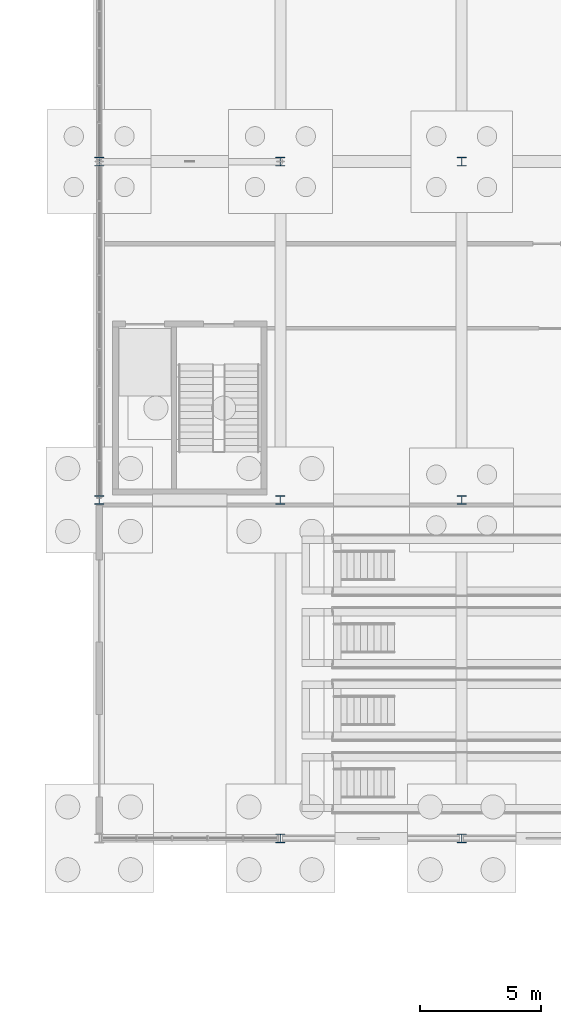
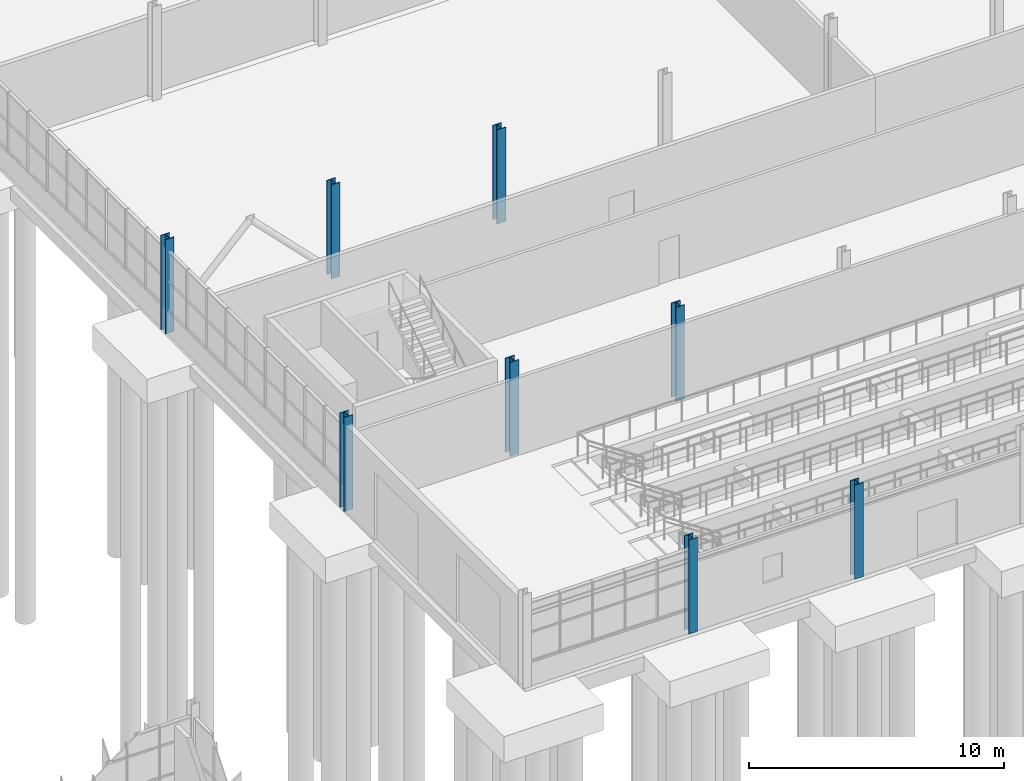
# One storey, part 14 of 136: 8 columns.
"""IFC4 building model written with IfcOpenShell, lengths in metres."""

from ifc_helpers import new_model, si_unit, direction, frame, origin, origin_2d, place, context, subcontext, project, spatial, i_section, extrude, material, material_profile, profile_set, type_object, element, save


model = new_model("IFC4")

# Units and contexts
model_context = context("Model", 3, precision=1e-05, world=origin(), true_north=direction((0.0, 1.0)))
body_context = subcontext(model_context, "Body", "Model", "MODEL_VIEW")
ifc_project = project(units=[si_unit("LENGTHUNIT", "METRE"), si_unit("AREAUNIT", "SQUARE_METRE"), si_unit("VOLUMEUNIT", "CUBIC_METRE"), si_unit("PLANEANGLEUNIT", "RADIAN"), si_unit("MASSUNIT", "GRAM", prefix="KILO")], contexts=[model_context])

# Site, building, storey
site_placement = place(None, origin())
site = spatial("IfcSite", under=ifc_project, at=site_placement, CompositionType="ELEMENT")
building_placement = place(site_placement, origin())
building = spatial("IfcBuilding", under=site, at=building_placement, Name="Solvenia Promenade Tram Depot", CompositionType="ELEMENT")
storey_placement = place(building_placement, origin())
storey = spatial("IfcBuildingStorey", under=building, at=storey_placement, Name="L00", CompositionType="ELEMENT", Elevation=0.0)

# Columns
ifc_material = material(Name="Structural steel ASTM A992 Gr. 50", Category="steel")
ifc_material_profile = material_profile(ifc_material, i_section(OverallWidth=0.39404296875, OverallDepth=0.375, WebThickness=0.0205078125, FlangeThickness=0.033203125, FilletRadius=0.01806640625, at=origin_2d()), Name="W360x216", Category="steel")
ifc_profile_set = profile_set([ifc_material_profile], Name="Structural steel ASTM A992 Gr. 50")
column_type = type_object("IfcColumnType", Name="Col-W360x216", PredefinedType="COLUMN", material=ifc_profile_set)
for number, where, z_axis, x_axis, name in (
    (1, (105.0, 38.0, 0.0), (0.0, 0.0, 1.0), (1.0, 0.0, 0.0), "Steel Column COL-L00-199"),
    (2, (105.0, 52.0, 0.0), (0.0, 0.0, 1.0), (1.0, 0.0, 0.0), "Steel Column COL-L00-202"),
    (3, (112.5, 24.0, 0.0), (0.0, 0.0, 1.0), (1.0, 0.0, 0.0), "Steel Column COL-L00-211"),
    (4, (112.5, 38.0, 0.0), (0.0, 0.0, 1.0), (1.0, 0.0, 0.0), "Steel Column COL-L00-214"),
    (5, (112.5, 52.0, 0.0), (0.0, 0.0, 1.0), (1.0, 0.0, 0.0), "Steel Column COL-L00-217"),
    (6, (120.0, 24.0, 0.0), (0.0, 0.0, 1.0), (1.0, 0.0, 0.0), "Steel Column COL-L00-226"),
    (7, (120.0, 38.0, 0.0), (0.0, 0.0, 1.0), (1.0, 0.0, 0.0), "Steel Column COL-L00-229"),
    (8, (120.0, 52.0, 0.0), (0.0, 0.0, 1.0), (1.0, 0.0, 0.0), "Steel Column COL-L00-233"),
):
    element("IfcColumn", number, at=place(storey_placement, frame(where, z_axis=z_axis, x_axis=x_axis)), inside=storey, type_object=column_type, Name=name, PredefinedType="COLUMN", context=body_context, shape_type="SweptSolid", body=[
        extrude(i_section(OverallWidth=0.39404296875, OverallDepth=0.375, WebThickness=0.0205078125, FlangeThickness=0.033203125, FilletRadius=0.01806640625, at=origin_2d()), origin(), (0.0, 0.0, 1.0), 4.5),
    ])

save(model, "model.ifc")
